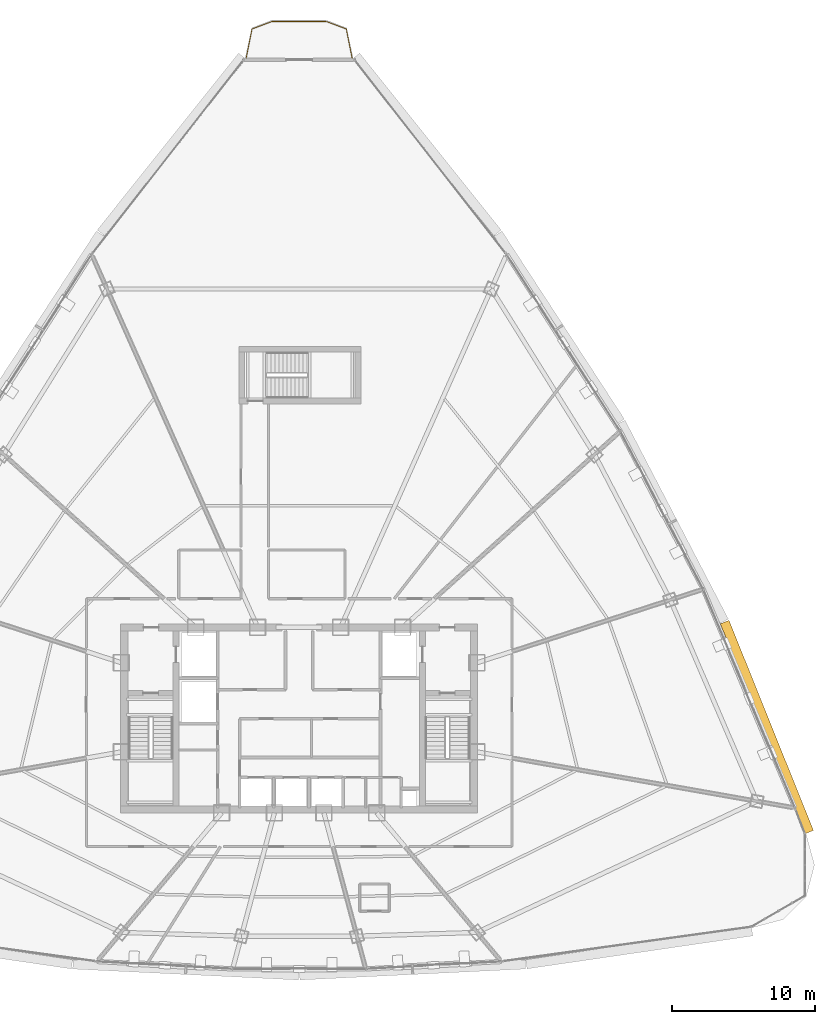
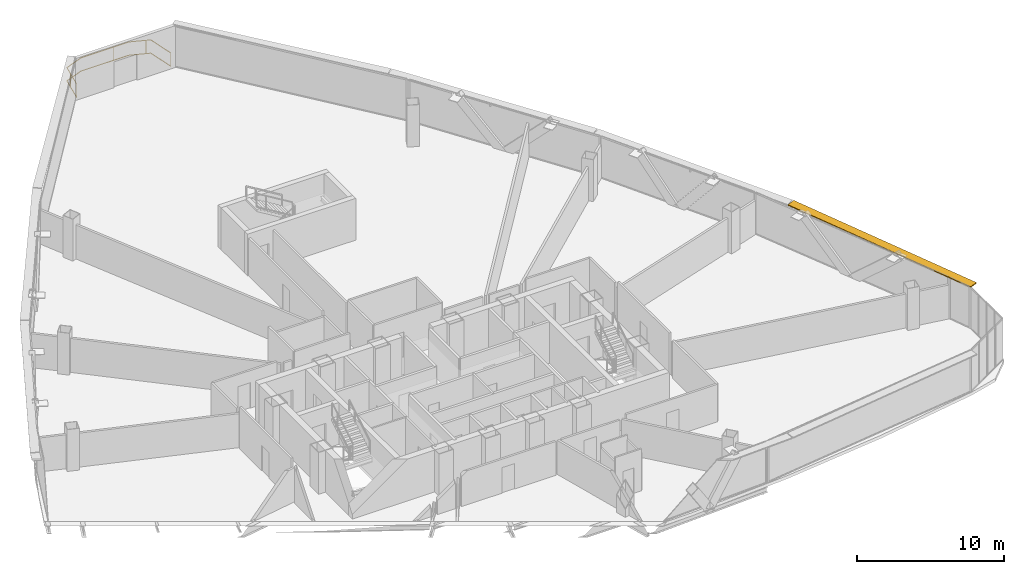
# One storey, part 36 of 36: 1 railing, 1 shading device.
"""IFC4 building model written with IfcOpenShell, lengths in metres."""

import ifcopenshell
import ifcopenshell.guid

model = None  # the IFC model being written
_history = None  # IfcOwnerHistory: only IFC2X3 demands one
_inside = {}  # id of a spatial element -> (the spatial element, [elements in it])
_under = {}  # id of a project, library or spatial element -> (it, [spatial elements below it])
_declared = {}  # id of a project -> (the project, [libraries it declares])
_typed = {}  # id of a type object -> (the type object, [elements of that type])
_made_of = {}  # id of a material, layer set ... -> (it, [elements and type objects made of it])


def new_model(schema):
    """Start an empty IFC model of exactly this schema.

    Asked for "IFC4X3", IfcOpenShell would pick the latest addendum, in which some entities
    have other attributes; the version numbers below select the first issue.
    IFC2X3 requires an IfcOwnerHistory on every rooted entity: one is made here for all.
    """
    global model, _history
    if schema == "IFC4X3":
        model = ifcopenshell.file(schema_version=(4, 3, 0, 0))
    else:
        model = ifcopenshell.file(schema=schema)
    _inside.clear()
    _under.clear()
    _declared.clear()
    _typed.clear()
    _made_of.clear()
    _history = None
    if model.schema == "IFC2X3":
        org = make("IfcOrganization", Name="unknown")
        user = make(
            "IfcPersonAndOrganization",
            ThePerson=make("IfcPerson", FamilyName="unknown"),
            TheOrganization=org,
        )
        app = make(
            "IfcApplication",
            ApplicationDeveloper=org,
            Version="unknown",
            ApplicationFullName="unknown",
            ApplicationIdentifier="unknown",
        )
        _history = make(
            "IfcOwnerHistory",
            OwningUser=user,
            OwningApplication=app,
            ChangeAction="ADDED",
            CreationDate=0,
        )
    return model


def make(cls, **values):
    """One entity of the class cls with the attributes given. An attribute that is None is left unset."""
    return model.create_entity(
        cls, **{name: value for name, value in values.items() if value is not None}
    )


def rooted(cls, **values):
    """An entity with a GlobalId (a new one), such as an element, a storey or a relation."""
    return make(cls, GlobalId=ifcopenshell.guid.new(), OwnerHistory=_history, **values)


def si_unit(unit_type, name, prefix=None):
    """IfcSIUnit, for example si_unit("LENGTHUNIT", "METRE", prefix="MILLI")."""
    return make("IfcSIUnit", UnitType=unit_type, Prefix=prefix, Name=name)


def assignment(units):
    """IfcUnitAssignment: the units of a project."""
    return None if units is None else make("IfcUnitAssignment", Units=units)


def point(xyz):
    """IfcCartesianPoint."""
    return None if xyz is None else make("IfcCartesianPoint", Coordinates=xyz)


def direction(xyz):
    """IfcDirection."""
    return None if xyz is None else make("IfcDirection", DirectionRatios=xyz)


def frame(location, z_axis=None, x_axis=None):
    """IfcAxis2Placement3D, a coordinate frame: its origin and axes. An axis left out is left unset."""
    return make(
        "IfcAxis2Placement3D",
        Location=point(location),
        Axis=direction(z_axis),
        RefDirection=direction(x_axis),
    )


def frame_2d(location, x_axis=None):
    """IfcAxis2Placement2D, a coordinate frame in the plane: its origin and x axis."""
    return make(
        "IfcAxis2Placement2D", Location=point(location), RefDirection=direction(x_axis)
    )


def origin():
    """The frame at (0, 0, 0) with its axes left unset."""
    return frame((0.0, 0.0, 0.0))


def origin_2d():
    """The frame at (0, 0) in the plane with its x axis left unset."""
    return frame_2d((0.0, 0.0))


def place(relative_to, where):
    """IfcLocalPlacement: puts the frame where relative to a parent placement (None: the world)."""
    return make(
        "IfcLocalPlacement", PlacementRelTo=relative_to, RelativePlacement=where
    )


def context(
    kind, dimensions, precision=None, world=None, true_north=None, identifier=None
):
    """IfcGeometricRepresentationContext, for example the 3D "Model" context."""
    return make(
        "IfcGeometricRepresentationContext",
        ContextIdentifier=identifier,
        ContextType=kind,
        CoordinateSpaceDimension=dimensions,
        Precision=precision,
        WorldCoordinateSystem=world,
        TrueNorth=true_north,
    )


def subcontext(parent, identifier, kind, view, scale=None):
    """IfcGeometricRepresentationSubContext, for example "Body" below "Model"."""
    return make(
        "IfcGeometricRepresentationSubContext",
        ContextIdentifier=identifier,
        ContextType=kind,
        ParentContext=parent,
        TargetScale=scale,
        TargetView=view,
    )


def project(units=None, contexts=None):
    """IfcProject with its units and contexts."""
    return rooted(
        "IfcProject",
        Name="project",
        RepresentationContexts=contexts,
        UnitsInContext=assignment(units),
    )


def spatial(cls, under=None, at=None, **own):
    """A site, building, storey or space (cls), placed at a placement, below another one or the project."""
    s = rooted(cls, ObjectPlacement=at, **own)
    if under is not None:
        _under.setdefault(under.id(), (under, []))[1].append(s)
    return s


def profile(cls, at=None, kind="AREA", **sizes):
    """A parametric profile (cls). Its sizes go by their IFC names, for example OverallWidth=200.0."""
    return make(cls, ProfileType=kind, Position=at, **sizes)


def rectangle(**sizes):
    """IfcRectangleProfileDef."""
    return profile("IfcRectangleProfileDef", **sizes)


def extrude(swept, where, along, depth):
    """IfcExtrudedAreaSolid: the profile swept, set in the frame where, extruded along a direction by depth."""
    return make(
        "IfcExtrudedAreaSolid",
        SweptArea=swept,
        Position=where,
        ExtrudedDirection=direction(along),
        Depth=depth,
    )


def shape(context_of_items, identifier, shape_type, items):
    """IfcShapeRepresentation: the items that make up one representation, for example the "Body"."""
    return make(
        "IfcShapeRepresentation",
        ContextOfItems=context_of_items,
        RepresentationIdentifier=identifier,
        RepresentationType=shape_type,
        Items=items,
    )


def source(mapping_origin, context_of_items, identifier, shape_type, items):
    """IfcRepresentationMap: a shape defined once, which mapped items show again and again."""
    return make(
        "IfcRepresentationMap",
        MappingOrigin=mapping_origin,
        MappedRepresentation=shape(context_of_items, identifier, shape_type, items),
    )


def transform(
    local_origin,
    x_axis=None,
    y_axis=None,
    z_axis=None,
    scale=None,
    scale2=None,
    scale3=None,
    uniform=True,
):
    """IfcCartesianTransformationOperator3D, or its non-uniform kind. x_axis, y_axis, z_axis: its Axis1, 2, 3."""
    if uniform:
        return make(
            "IfcCartesianTransformationOperator3D",
            Axis1=direction(x_axis),
            Axis2=direction(y_axis),
            LocalOrigin=point(local_origin),
            Scale=scale,
            Axis3=direction(z_axis),
        )
    return make(
        "IfcCartesianTransformationOperator3DnonUniform",
        Axis1=direction(x_axis),
        Axis2=direction(y_axis),
        LocalOrigin=point(local_origin),
        Scale=scale,
        Axis3=direction(z_axis),
        Scale2=scale2,
        Scale3=scale3,
    )


def mapped(mapping_source, mapping_target):
    """IfcMappedItem: shows the shape of a source again, moved by a transform."""
    return make(
        "IfcMappedItem", MappingSource=mapping_source, MappingTarget=mapping_target
    )


def material(Name=None, Category=None):
    """IfcMaterial."""
    return make("IfcMaterial", Name=Name, Category=Category)


def layer(
    of_material, thickness, ventilated=None, Name=None, Category=None, Priority=None
):
    """IfcMaterialLayer: one layer of a wall or slab, of a material (None: an air gap)."""
    return make(
        "IfcMaterialLayer",
        Material=of_material,
        LayerThickness=thickness,
        IsVentilated=ventilated,
        Name=Name,
        Category=Category,
        Priority=Priority,
    )


def layer_set(layers, Name=None):
    """IfcMaterialLayerSet."""
    return make("IfcMaterialLayerSet", MaterialLayers=layers, LayerSetName=Name)


def made_of(thing, what):
    """Note that an element or type object is made of a material, layer set ...; save() writes the relation."""
    if what is not None:
        _made_of.setdefault(what.id(), (what, []))[1].append(thing)
    return thing


def type_object(cls, material=None, **own):
    """A type object (cls), such as IfcWallType, which elements share."""
    return made_of(rooted(cls, **own), material)


def element(
    cls,
    number,
    at=None,
    inside=None,
    cuts=None,
    type_object=None,
    material=None,
    context=None,
    identifier="Body",
    shape_type=None,
    held_by="IfcProductDefinitionShape",
    body=None,
    shapes=None,
    **own,
):
    """One element of the class cls, such as IfcWall. Its Tag is "e" and its number.

    at: its placement. inside: the storey or other place that contains it. cuts: it is an
    opening in that element (IfcRelVoidsElement). A single representation is given by context,
    identifier, shape_type and body (its items); several are given by shapes. held_by: the class
    of the entity that holds the representations. save() writes the other relations.
    """
    e = rooted(cls, Tag="e%d" % number, ObjectPlacement=at, **own)
    if body is not None:
        shapes = [shape(context, identifier, shape_type, body)]
    if shapes is not None:
        e.Representation = make(held_by, Representations=shapes)
    if inside is not None:
        _inside.setdefault(inside.id(), (inside, []))[1].append(e)
    if cuts is not None:
        rooted(
            "IfcRelVoidsElement", RelatingBuildingElement=cuts, RelatedOpeningElement=e
        )
    if type_object is not None:
        _typed.setdefault(type_object.id(), (type_object, []))[1].append(e)
    return made_of(e, material)


def aggregate(whole, parts):
    """IfcRelAggregates: a whole, such as a stair, and the parts it consists of."""
    return rooted("IfcRelAggregates", RelatingObject=whole, RelatedObjects=parts)


def save(model, path):
    """Write the relations noted so far, then the file.

    IfcRelAggregates (storeys below a building ...), IfcRelContainedInSpatialStructure (elements
    in a storey), IfcRelDefinesByType, IfcRelAssociatesMaterial and IfcRelDeclares: one each for
    every whole, place, type object, material and project.
    """
    for whole, parts in _under.values():
        aggregate(whole, parts)
    for where, things in _inside.values():
        rooted(
            "IfcRelContainedInSpatialStructure",
            RelatedElements=things,
            RelatingStructure=where,
        )
    for kind, things in _typed.values():
        rooted("IfcRelDefinesByType", RelatedObjects=things, RelatingType=kind)
    for what, things in _made_of.values():
        rooted("IfcRelAssociatesMaterial", RelatedObjects=things, RelatingMaterial=what)
    for by, libraries in _declared.values():
        rooted("IfcRelDeclares", RelatingContext=by, RelatedDefinitions=libraries)
    model.write(path)


model = new_model("IFC4")

# Units and contexts
model_context = context("Model", 3, precision=1e-05, world=origin(), true_north=direction((0.0, 1.0)))
body_context = subcontext(model_context, "Body", "Model", "MODEL_VIEW")
ifc_project = project(units=[si_unit("LENGTHUNIT", "METRE"), si_unit("AREAUNIT", "SQUARE_METRE"), si_unit("VOLUMEUNIT", "CUBIC_METRE"), si_unit("PLANEANGLEUNIT", "RADIAN"), si_unit("MASSUNIT", "GRAM", prefix="KILO"), si_unit("THERMODYNAMICTEMPERATUREUNIT", "KELVIN"), si_unit("POWERUNIT", "WATT")], contexts=[model_context])

# Site, building, storey
site_placement = place(None, origin())
site = spatial("IfcSite", under=ifc_project, at=site_placement, CompositionType="ELEMENT")
building_placement = place(site_placement, origin())
building = spatial("IfcBuilding", under=site, at=building_placement, Name="Yunzhuo Pagoda Commons", CompositionType="ELEMENT")
storey_placement = place(building_placement, frame((0.0, 0.0, 248.260009765625)))
storey = spatial("IfcBuildingStorey", under=building, at=storey_placement, Name="L62", CompositionType="ELEMENT", Elevation=248.260009765625)

# Railing
ifc_material = material(Name="Anodized aluminium 6063-T6", Category="aluminium")
railing_type = type_object("IfcRailingType", Name="RL-BAL1 Exterior Terrace & Balcony Balustrade 1150", PredefinedType="BALUSTRADE", material=ifc_material)
railing_placement = place(storey_placement, frame((51.693603515625, 79.9296875, 0.0)))
element("IfcRailing", 1, at=railing_placement, inside=storey, type_object=railing_type, Name="L62 corner balcony balustrade V3", PredefinedType="BALUSTRADE", context=body_context, shape_type="SweptSolid", body=[
    extrude(rectangle(XDim=0.048095703125, YDim=0.048095703125, at=origin_2d()), frame((0.0, 0.0, 1.1259765625), z_axis=(-0.194200568098, 0.980961843983, 0.0), x_axis=(-0.980961843983, -0.194200568098, 0.0)), (0.0, 0.0, 1.0), 2.059326171875),
    extrude(rectangle(XDim=0.048095703125, YDim=0.048095703125, at=origin_2d()), frame((0.0, 0.0, 0.02392578125), z_axis=(-0.194200568098, 0.980961843983, 0.0), x_axis=(-0.980961843983, -0.194200568098, 0.0)), (0.0, 0.0, 1.0), 2.059326171875),
    extrude(rectangle(XDim=0.048095703125, YDim=0.048095703125, at=origin_2d()), frame((-0.39990234375, 2.02001953125, 1.1259765625), z_axis=(-0.93580094049, 0.352528863752, 0.0), x_axis=(-0.352528863752, -0.93580094049, 0.0)), (0.0, 0.0, 1.0), 1.50341796875),
    extrude(rectangle(XDim=0.048095703125, YDim=0.048095703125, at=origin_2d()), frame((-0.39990234375, 2.02001953125, 0.02392578125), z_axis=(-0.93580094049, 0.352528863752, 0.0), x_axis=(-0.352528863752, -0.93580094049, 0.0)), (0.0, 0.0, 1.0), 1.50341796875),
    extrude(rectangle(XDim=0.048095703125, YDim=0.048095703125, at=origin_2d()), frame((-1.806884765625, 2.550048828125, 1.1259765625), z_axis=(-1.0, 0.0, 0.0), x_axis=(0.0, -1.0, 0.0)), (0.0, 0.0, 1.0), 3.7734375),
    extrude(rectangle(XDim=0.048095703125, YDim=0.048095703125, at=origin_2d()), frame((-1.806884765625, 2.550048828125, 0.02392578125), z_axis=(-1.0, 0.0, 0.0), x_axis=(0.0, -1.0, 0.0)), (0.0, 0.0, 1.0), 3.7734375),
    extrude(rectangle(XDim=0.048095703125, YDim=0.048095703125, at=origin_2d()), frame((-5.580322265625, 2.550048828125, 1.1259765625), z_axis=(-0.93580094049, -0.352528863752, 0.0), x_axis=(0.352528863752, -0.93580094049, 0.0)), (0.0, 0.0, 1.0), 1.50341796875),
    extrude(rectangle(XDim=0.048095703125, YDim=0.048095703125, at=origin_2d()), frame((-5.580322265625, 2.550048828125, 0.02392578125), z_axis=(-0.93580094049, -0.352528863752, 0.0), x_axis=(0.352528863752, -0.93580094049, 0.0)), (0.0, 0.0, 1.0), 1.50341796875),
    extrude(rectangle(XDim=0.048095703125, YDim=0.048095703125, at=origin_2d()), frame((-6.9873046875, 2.02001953125, 1.1259765625), z_axis=(-0.194200568098, -0.980961843983, 0.0), x_axis=(0.980961843983, -0.194200568098, 0.0)), (0.0, 0.0, 1.0), 2.059326171875),
    extrude(rectangle(XDim=0.048095703125, YDim=0.048095703125, at=origin_2d()), frame((-6.9873046875, 2.02001953125, 0.02392578125), z_axis=(-0.194200568098, -0.980961843983, 0.0), x_axis=(0.980961843983, -0.194200568098, 0.0)), (0.0, 0.0, 1.0), 2.059326171875),
    extrude(rectangle(XDim=0.0419921875, YDim=0.0419921875, at=origin_2d()), origin(), (0.0, 0.0, 1.0), 1.101806640625),
    extrude(rectangle(XDim=0.0419921875, YDim=0.0419921875, at=origin_2d()), frame((-0.71875, 2.14013671875, 0.0)), (0.0, 0.0, 1.0), 1.101806640625),
    extrude(rectangle(XDim=0.0419921875, YDim=0.0419921875, at=origin_2d()), frame((-3.044189453125, 2.550048828125, 0.0)), (0.0, 0.0, 1.0), 1.101806640625),
    extrude(rectangle(XDim=0.0419921875, YDim=0.0419921875, at=origin_2d()), frame((-7.135009765625, 1.274169921875, 0.0)), (0.0, 0.0, 1.0), 1.101806640625),
    extrude(rectangle(XDim=0.0419921875, YDim=0.0419921875, at=origin_2d()), frame((-7.38720703125, 0.0, 0.0)), (0.0, 0.0, 1.0), 1.101806640625),
])

# Shading device
ifc_layer = layer(ifc_material, 0.080078125)
ifc_layer_set = layer_set([ifc_layer], Name="Anodized aluminium 6063-T6")
shading_device_type = type_object("IfcShadingDeviceType", Name="SH-SUN1 Pagoda Horizontal Sunshade Eave 650", PredefinedType="USERDEFINED", material=ifc_layer_set)
shared_shape = source(origin(), body_context, "Body", "SweptSolid", [
    extrude(rectangle(XDim=15.79638671875, YDim=0.64990234375, at=origin_2d()), origin(), (0.0, 0.0, 1.0), 0.080078125),
])
shading_device_placement = place(storey_placement, frame((80.636962890625, 33.241943359375, 3.389892578125), z_axis=(0.0, 0.0, 1.0), x_axis=(-0.372987782576, 0.927836253899, 0.0)))
element("IfcShadingDevice", 2, at=shading_device_placement, inside=storey, type_object=shading_device_type, Name="L62 horizontal pagoda sunshade eave F2.1", ObjectType="SUNSHADE", PredefinedType="USERDEFINED", context=body_context, shape_type="MappedRepresentation", body=[
    mapped(shared_shape, transform((0.0, 0.0, 0.0), scale=1.0)),
])

save(model, "model.ifc")
